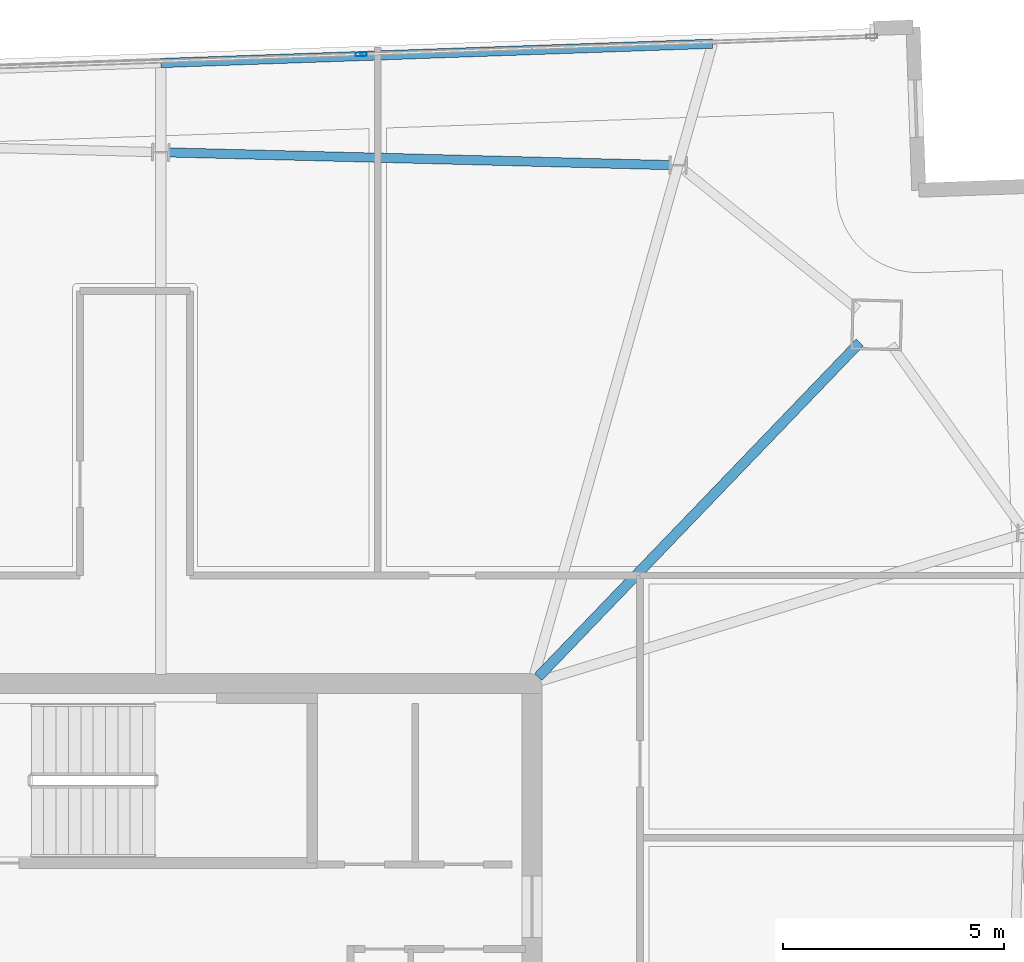
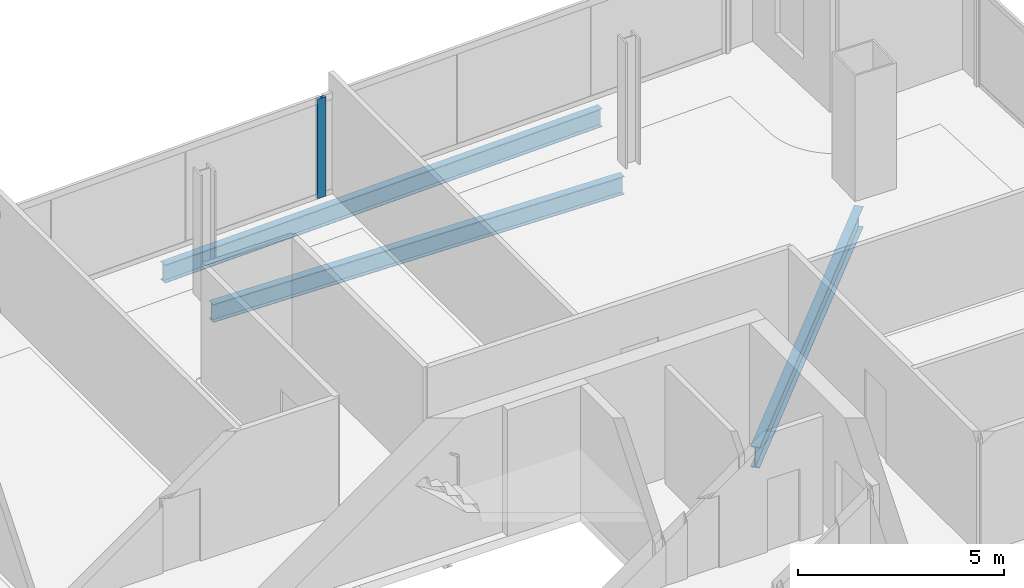
# One storey, part 13 of 23: 3 beams, 1 member, 1 element without a shape of its own.
"""IFC4 building model written with IfcOpenShell, lengths in metres."""

from ifc_helpers import new_model, si_unit, direction, frame, origin, origin_2d, place, context, subcontext, project, spatial, hollow_rectangle, i_section, extrude, material, material_profile, profile_set, type_object, element, aggregate, save


model = new_model("IFC4")

# Units and contexts
model_context = context("Model", 3, precision=1e-05, world=origin(), true_north=direction((0.0, 1.0)))
body_context = subcontext(model_context, "Body", "Model", "MODEL_VIEW")
ifc_project = project(units=[si_unit("LENGTHUNIT", "METRE"), si_unit("AREAUNIT", "SQUARE_METRE"), si_unit("VOLUMEUNIT", "CUBIC_METRE"), si_unit("PLANEANGLEUNIT", "RADIAN"), si_unit("MASSUNIT", "GRAM", prefix="KILO")], contexts=[model_context])

# Site, building, storey
site_placement = place(None, origin())
site = spatial("IfcSite", under=ifc_project, at=site_placement, CompositionType="ELEMENT")
building_placement = place(site_placement, origin())
building = spatial("IfcBuilding", under=site, at=building_placement, Name="Haldenkirk Collegiate Tower", CompositionType="ELEMENT")
storey_placement = place(building_placement, frame((0.0, 0.0, 336.449951171875)))
storey = spatial("IfcBuildingStorey", under=building, at=storey_placement, Name="L85", CompositionType="ELEMENT", Elevation=336.449951171875)

# Beams
ifc_material_1 = material(Name="Steel ASTM A992 Grade 50", Category="steel")
ifc_material_profile_1 = material_profile(ifc_material_1, i_section(OverallWidth=0.22998046875, OverallDepth=0.616943359375, WebThickness=0.01318359375, FlangeThickness=0.022216796875, at=origin_2d()), Name="W24X94")
ifc_profile_set_1 = profile_set([ifc_material_profile_1], Name="Steel ASTM A992 Grade 50")
beam_type_1 = type_object("IfcBeamType", Name="BM-GIRDER-W24X94", PredefinedType="BEAM", material=ifc_profile_set_1)
beam_1_placement = place(storey_placement, frame((52.428955078125, 41.7294921875, -0.568359375), z_axis=(-0.692944915375, -0.720990529935, 0.0), x_axis=(0.720990529935, -0.692944915375, 0.0)))
element("IfcBeam", 1, at=beam_1_placement, inside=storey, type_object=beam_type_1, Name="L85 primary floor girder 02", PredefinedType="BEAM", context=body_context, shape_type="SweptSolid", body=[
    extrude(i_section(OverallWidth=0.22998046875, OverallDepth=0.616943359375, WebThickness=0.01318359375, FlangeThickness=0.022216796875, at=origin_2d()), origin(), (0.0, 0.0, 1.0), 10.515869140625),
])
ifc_material_profile_2 = material_profile(ifc_material_1, i_section(OverallWidth=0.2099609375, OverallDepth=0.537109375, WebThickness=0.010986328125, FlangeThickness=0.017333984375, at=origin_2d()), Name="W21X68")
ifc_profile_set_2 = profile_set([ifc_material_profile_2], Name="Steel ASTM A992 Grade 50")
beam_type_2 = type_object("IfcBeamType", Name="BM-SPANDREL-W21X68", PredefinedType="SPANDREL", material=ifc_profile_set_2)
beam_2_placement = place(storey_placement, frame((48.123779296875, 45.74951171875, -0.528564453125), z_axis=(-0.999679864584, 0.025301548267, 0.0), x_axis=(-0.025301548267, -0.999679864584, 0.0)))
element("IfcBeam", 2, at=beam_2_placement, inside=storey, type_object=beam_type_2, Name="L85 perimeter spandrel beam 06", PredefinedType="SPANDREL", context=body_context, shape_type="SweptSolid", body=[
    extrude(i_section(OverallWidth=0.2099609375, OverallDepth=0.537109375, WebThickness=0.010986328125, FlangeThickness=0.017333984375, at=origin_2d()), origin(), (0.0, 0.0, 1.0), 11.357177734375),
])
beam_3_placement = place(storey_placement, frame((49.088623046875, 48.50048828125, -0.528564453125), z_axis=(-0.999390725857, -0.034902393483, 0.0), x_axis=(0.034902393483, -0.999390725857, 0.0)))
element("IfcBeam", 3, at=beam_3_placement, inside=storey, type_object=beam_type_2, Name="L85 outer facade edge beam 2A", PredefinedType="SPANDREL", context=body_context, shape_type="SweptSolid", body=[
    extrude(i_section(OverallWidth=0.2099609375, OverallDepth=0.537109375, WebThickness=0.010986328125, FlangeThickness=0.017333984375, at=origin_2d()), origin(), (0.0, 0.0, 1.0), 12.513916015625),
])

# Curtain wall, member
ifc_material_2 = material(Name="Anodised architectural bronze aluminium", Category="aluminium")
curtain_wall_type = type_object("IfcCurtainWallType", Name="CW-SYS1B-CONVEX-HI", PredefinedType="USERDEFINED", material=ifc_material_2)
curtain_wall_placement = place(storey_placement, origin())
curtain_wall = element("IfcCurtainWall", 4, at=curtain_wall_placement, inside=storey, type_object=curtain_wall_type, Name="L85 Upper tower high-wind convex bronze unitised curtain wall", ObjectType="UNITISED CURTAIN WALL", PredefinedType="USERDEFINED")
ifc_material_profile_3 = material_profile(ifc_material_2, hollow_rectangle(XDim=0.0849609375, YDim=0.25, WallThickness=0.0048828125, at=origin_2d()), Name="CW-MUL-1B")
ifc_profile_set_3 = profile_set([ifc_material_profile_3], Name="Anodised architectural bronze aluminium")
member_type = type_object("IfcMemberType", Name="CW-MUL-1B", PredefinedType="MULLION", material=ifc_profile_set_3)
member_placement = place(storey_placement, frame((41.126220703125, 48.262451171875, 0.0), z_axis=(0.0, 0.0, 1.0), x_axis=(-0.034901844415, 0.999390745032, 0.0)))
member = element("IfcMember", 5, at=member_placement, type_object=member_type, Name="CW-1B mullion 3", PredefinedType="MULLION", context=body_context, shape_type="SweptSolid", body=[
    extrude(hollow_rectangle(XDim=0.0849609375, YDim=0.25, WallThickness=0.0048828125, at=origin_2d()), origin(), (0.0, 0.0, 1.0), 2.947998046875),
])
aggregate(curtain_wall, [member])

save(model, "model.ifc")
